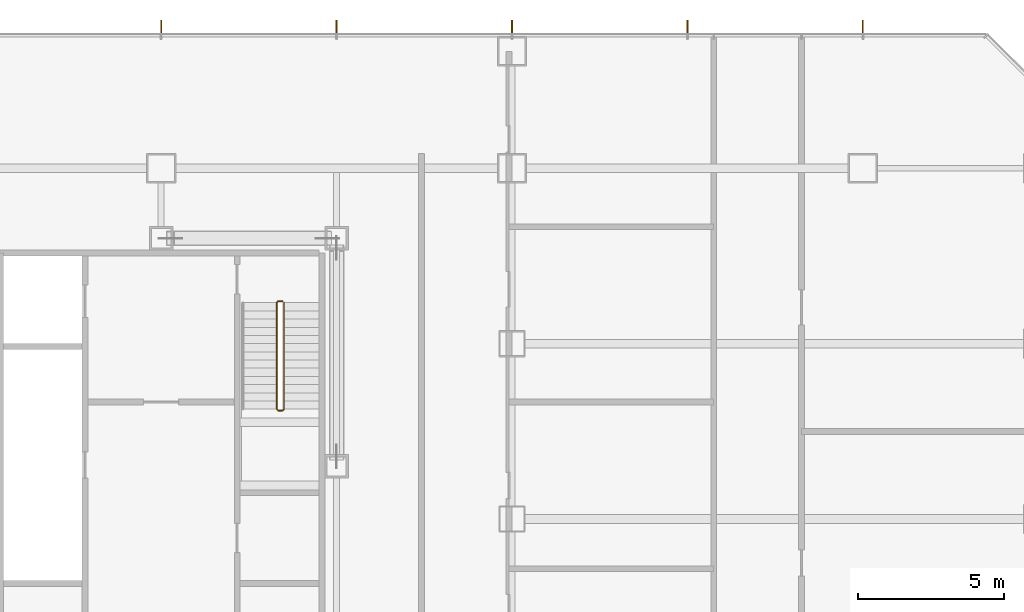
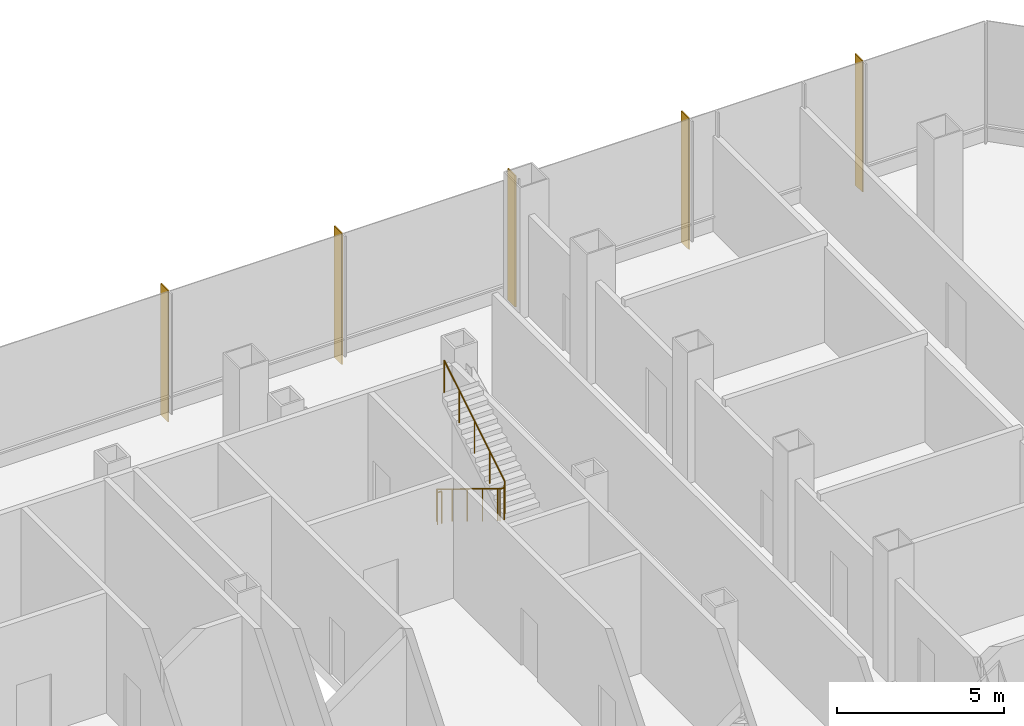
# One storey, part 30 of 33: 5 shading devices, 1 railing.
"""IFC4 building model written with IfcOpenShell, lengths in metres."""

from ifc_helpers import new_model, si_unit, direction, frame, origin, origin_2d, place, context, subcontext, project, spatial, rectangle, circle, extrude, material, material_profile, profile_set, type_object, element, save


model = new_model("IFC4")

# Units and contexts
model_context = context("Model", 3, precision=1e-05, world=origin(), true_north=direction((0.0, 1.0)))
body_context = subcontext(model_context, "Body", "Model", "MODEL_VIEW")
ifc_project = project(units=[si_unit("LENGTHUNIT", "METRE"), si_unit("AREAUNIT", "SQUARE_METRE"), si_unit("VOLUMEUNIT", "CUBIC_METRE"), si_unit("PLANEANGLEUNIT", "RADIAN"), si_unit("MASSUNIT", "GRAM", prefix="KILO")], contexts=[model_context])

# Site, building, storey
site_placement = place(None, origin())
site = spatial("IfcSite", under=ifc_project, at=site_placement, CompositionType="ELEMENT")
building_placement = place(site_placement, origin())
building = spatial("IfcBuilding", under=site, at=building_placement, Name="Sorahane Residences", CompositionType="ELEMENT")
storey_placement = place(building_placement, frame((0.0, 0.0, 25.199951171875)))
storey = spatial("IfcBuildingStorey", under=building, at=storey_placement, Name="L03", CompositionType="ELEMENT", Elevation=25.199951171875)

# Shading devices
ifc_material_1 = material(Name="Terracotta anodised aluminium", Category="masonry")
ifc_material_profile = material_profile(ifc_material_1, rectangle(XDim=0.449951171875, YDim=0.0400390625, at=origin_2d()), Name="Podium vertical fin terracotta anodised aluminium 450x40")
ifc_profile_set = profile_set([ifc_material_profile], Name="Terracotta anodised aluminium")
shading_device_type = type_object("IfcShadingDeviceType", Name="Podium vertical fin terracotta anodised aluminium 450x40", PredefinedType="USERDEFINED", material=ifc_profile_set)
for number, where, z_axis, x_axis, name in (
    (1, (60.0, 52.844970703125, -0.39990234375), (0.0, 0.0, 1.0), (0.0, 1.0, 0.0), "Podium vertical fin L03 N1.1"),
    (2, (54.0, 52.844970703125, -0.39990234375), (0.0, 0.0, 1.0), (0.0, 1.0, 0.0), "Podium vertical fin L03 N1.2"),
    (3, (48.0, 52.844970703125, -0.39990234375), (0.0, 0.0, 1.0), (0.0, 1.0, 0.0), "Podium vertical fin L03 N1.3"),
    (4, (42.0, 52.844970703125, -0.39990234375), (0.0, 0.0, 1.0), (0.0, 1.0, 0.0), "Podium vertical fin L03 N1.4"),
    (5, (36.0, 52.844970703125, -0.39990234375), (0.0, 0.0, 1.0), (0.0, 1.0, 0.0), "Podium vertical fin L03 N1.5"),
):
    element("IfcShadingDevice", number, at=place(storey_placement, frame(where, z_axis=z_axis, x_axis=x_axis)), inside=storey, type_object=shading_device_type, Name=name, ObjectType="Vertical fin", PredefinedType="USERDEFINED", context=body_context, shape_type="SweptSolid", body=[
        extrude(rectangle(XDim=0.449951171875, YDim=0.0400390625, at=origin_2d()), origin(), (0.0, 0.0, 1.0), 4.800048828125),
    ])

# Railing
ifc_material_2 = material(Name="Steel Q355B", Category="steel")
railing_type = type_object("IfcRailingType", Name="Stair guard 1200 Steel Q355B", PredefinedType="GUARDRAIL", material=ifc_material_2)
railing_placement = place(storey_placement, frame((40.14990234375, 43.449951171875, 0.0)))
element("IfcRailing", 6, at=railing_placement, inside=storey, type_object=railing_type, Name="L03 S2 stair guard 1", PredefinedType="GUARDRAIL", context=body_context, shape_type="SweptSolid", body=[
    extrude(circle(Radius=0.02392578125, at=origin_2d()), frame((0.0, 0.0, 1.17578125), z_axis=(-1.0, 0.0, 0.0), x_axis=(0.0, -1.0, 0.0)), (0.0, 0.0, 1.0), 0.14990234375),
    extrude(circle(Radius=0.02392578125, at=origin_2d()), frame((-0.14990234375, 0.0, 1.17578125), z_axis=(-0.269911200495, -0.269911200495, 0.924281281696), x_axis=(0.707106781187, -0.707106781187, 0.0)), (0.0, 0.0, 1.0), 0.185546875),
    extrude(circle(Radius=0.02392578125, at=origin_2d()), frame((-0.199951171875, -0.050048828125, 1.34716796875), z_axis=(0.0, -0.852824790078, 0.522197163366), x_axis=(1.0, 0.0, 0.0)), (0.0, 0.0, 1.0), 4.26806640625),
    extrude(circle(Radius=0.02392578125, at=origin_2d()), frame((-0.199951171875, -3.68994140625, 3.576171875), z_axis=(0.707106781187, -0.707106781187, 0.0), x_axis=(0.707106781187, 0.707106781187, 0.0)), (0.0, 0.0, 1.0), 0.07080078125),
    extrude(circle(Radius=0.02392578125, at=origin_2d()), frame((-0.14990234375, -3.739990234375, 3.576171875), z_axis=(1.0, 0.0, 0.0), x_axis=(0.0, 1.0, 0.0)), (0.0, 0.0, 1.0), 0.14990234375),
    extrude(circle(Radius=0.02392578125, at=origin_2d()), frame((0.0, -3.739990234375, 3.576171875), z_axis=(0.269911200495, 0.269911200495, 0.924281281696), x_axis=(-0.707106781187, 0.707106781187, 0.0)), (0.0, 0.0, 1.0), 0.185546875),
    extrude(circle(Radius=0.02392578125, at=origin_2d()), frame((0.050048828125, -3.68994140625, 3.74755859375), z_axis=(0.0, 0.852850264322, 0.5221555579), x_axis=(-1.0, 0.0, 0.0)), (0.0, 0.0, 1.0), 4.267822265625),
    extrude(circle(Radius=0.02099609375, at=origin_2d()), origin(), (0.0, 0.0, 1.0), 1.15185546875),
    extrude(circle(Radius=0.02099609375, at=origin_2d()), frame((-0.14990234375, 0.0, 0.0)), (0.0, 0.0, 1.0), 1.15185546875),
    extrude(circle(Radius=0.02099609375, at=origin_2d()), frame((-0.199951171875, -0.050048828125, 0.17138671875)), (0.0, 0.0, 1.0), 1.15185546875),
    extrude(circle(Radius=0.02099609375, at=origin_2d()), frame((-0.199951171875, -0.9599609375, 0.728515625)), (0.0, 0.0, 1.0), 1.15185546875),
    extrude(circle(Radius=0.02099609375, at=origin_2d()), frame((-0.199951171875, -1.8701171875, 1.28564453125)), (0.0, 0.0, 1.0), 1.15185546875),
    extrude(circle(Radius=0.02099609375, at=origin_2d()), frame((-0.199951171875, -2.780029296875, 1.843017578125)), (0.0, 0.0, 1.0), 1.15185546875),
    extrude(circle(Radius=0.02099609375, at=origin_2d()), frame((-0.199951171875, -3.68994140625, 2.400146484375)), (0.0, 0.0, 1.0), 1.15185546875),
    extrude(circle(Radius=0.02099609375, at=origin_2d()), frame((-0.14990234375, -3.739990234375, 2.400146484375)), (0.0, 0.0, 1.0), 1.15185546875),
    extrude(circle(Radius=0.02099609375, at=origin_2d()), frame((0.0, -3.739990234375, 2.400146484375)), (0.0, 0.0, 1.0), 1.15185546875),
    extrude(circle(Radius=0.02099609375, at=origin_2d()), frame((0.050048828125, -3.68994140625, 2.571533203125)), (0.0, 0.0, 1.0), 1.15185546875),
    extrude(circle(Radius=0.02099609375, at=origin_2d()), frame((0.050048828125, -2.780029296875, 3.128662109375)), (0.0, 0.0, 1.0), 1.15185546875),
    extrude(circle(Radius=0.02099609375, at=origin_2d()), frame((0.050048828125, -1.8701171875, 3.685791015625)), (0.0, 0.0, 1.0), 1.15185546875),
    extrude(circle(Radius=0.02099609375, at=origin_2d()), frame((0.050048828125, -0.9599609375, 4.242919921875)), (0.0, 0.0, 1.0), 1.15185546875),
    extrude(circle(Radius=0.02099609375, at=origin_2d()), frame((0.050048828125, -0.050048828125, 4.800048828125)), (0.0, 0.0, 1.0), 1.15185546875),
])

save(model, "model.ifc")
